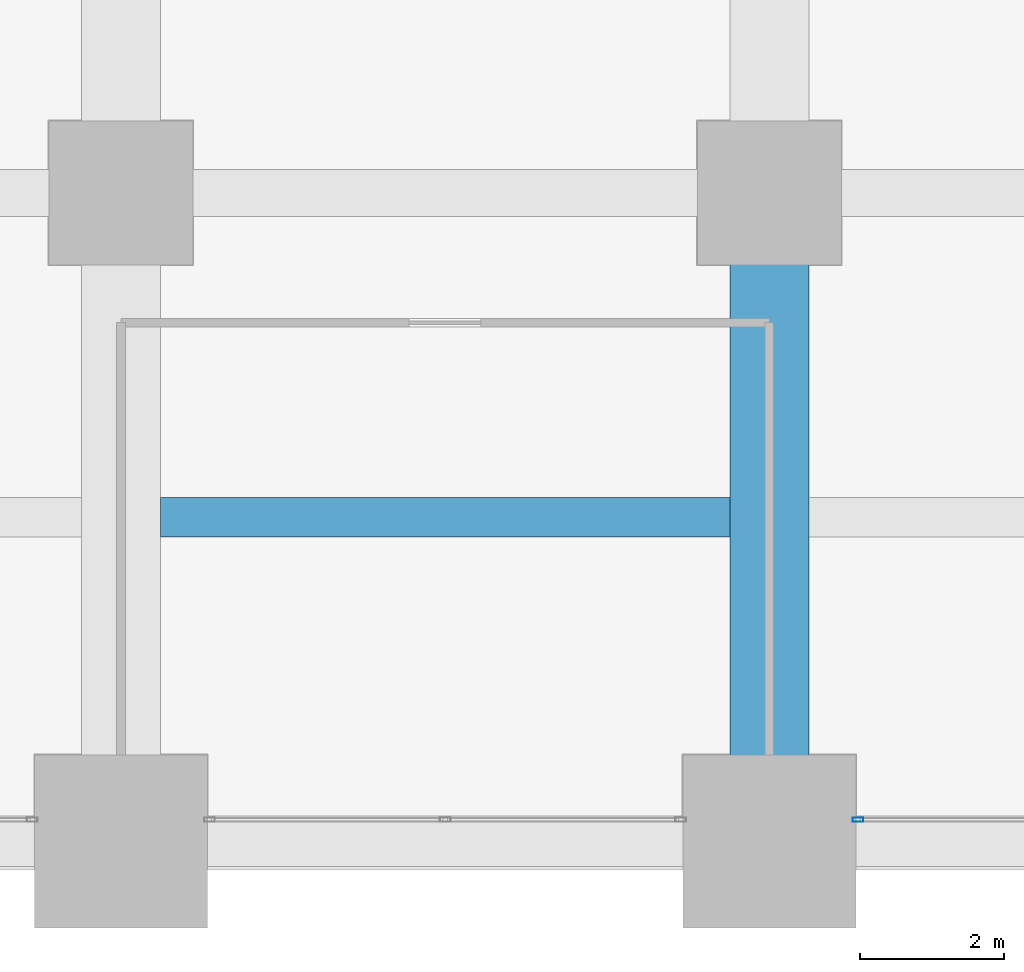
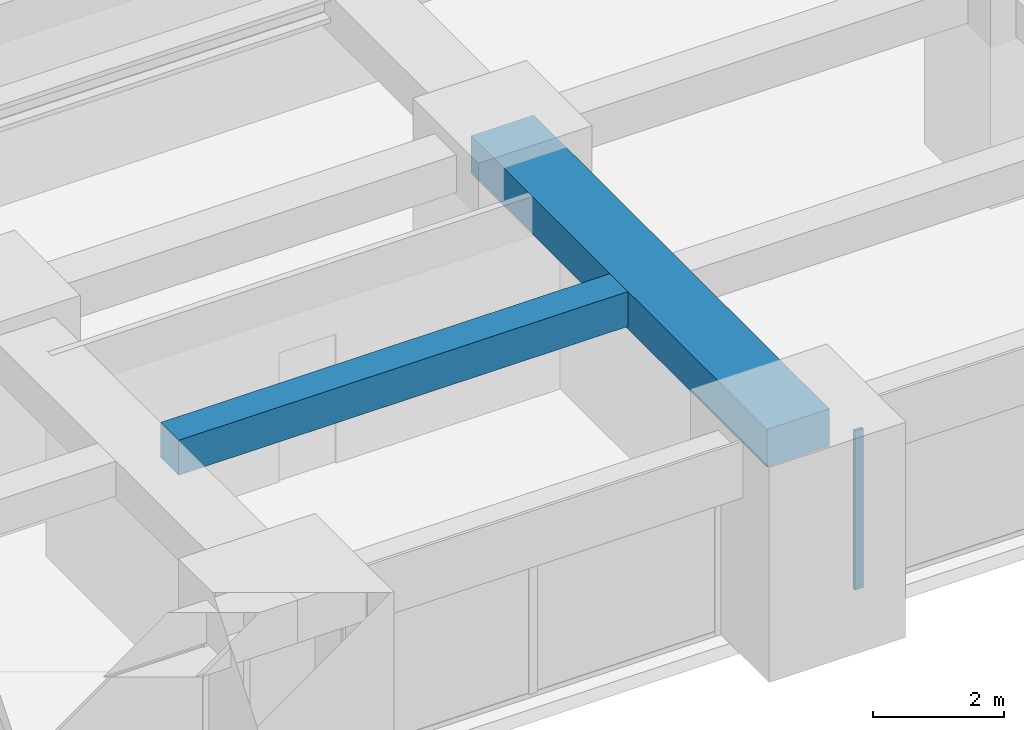
# One storey, part 14 of 39: 2 beams, 1 member, 1 element without a shape of its own.
"""IFC4 building model written with IfcOpenShell, lengths in metres."""

from ifc_helpers import new_model, si_unit, direction, frame, origin, origin_2d, place, context, subcontext, project, spatial, rectangle, hollow_rectangle, extrude, material, material_profile, profile_set, type_object, element, aggregate, save


model = new_model("IFC4")

# Units and contexts
model_context = context("Model", 3, precision=1e-05, world=origin(), true_north=direction((0.0, 1.0)))
body_context = subcontext(model_context, "Body", "Model", "MODEL_VIEW")
ifc_project = project(units=[si_unit("LENGTHUNIT", "METRE"), si_unit("AREAUNIT", "SQUARE_METRE"), si_unit("VOLUMEUNIT", "CUBIC_METRE"), si_unit("PLANEANGLEUNIT", "RADIAN"), si_unit("MASSUNIT", "GRAM", prefix="KILO")], contexts=[model_context])

# Site, building, storey
site_placement = place(None, origin())
site = spatial("IfcSite", under=ifc_project, at=site_placement, CompositionType="ELEMENT")
building_placement = place(site_placement, origin())
building = spatial("IfcBuilding", under=site, at=building_placement, Name="Zorevar Civic Tower", CompositionType="ELEMENT")
storey_placement = place(building_placement, frame((0.0, 0.0, 121.0)))
storey = spatial("IfcBuildingStorey", under=building, at=storey_placement, Name="L29", CompositionType="ELEMENT", Elevation=121.0)

# Beams
ifc_material_1 = material(Name="Concrete C50/60", Category="concrete")
ifc_material_profile_1 = material_profile(ifc_material_1, rectangle(XDim=1.10009765625, YDim=0.699951171875, at=origin_2d()), Name="RC 1100x700")
ifc_profile_set_1 = profile_set([ifc_material_profile_1], Name="Concrete C50/60")
beam_type_1 = type_object("IfcBeamType", Name="Beam RC 1100x700", PredefinedType="BEAM", material=ifc_profile_set_1)
beam_1_placement = place(storey_placement, frame((45.0, 0.0, 3.39990234375), z_axis=(0.0, 1.0, 0.0), x_axis=(-1.0, 0.0, 0.0)))
element("IfcBeam", 1, at=beam_1_placement, inside=storey, type_object=beam_type_1, Name="Girder L30", PredefinedType="BEAM", context=body_context, shape_type="SweptSolid", body=[
    extrude(rectangle(XDim=1.10009765625, YDim=0.699951171875, at=origin_2d()), origin(), (0.0, 0.0, 1.0), 9.0),
])
ifc_material_2 = material(Name="Concrete C50/60", Category="concrete")
ifc_material_profile_2 = material_profile(ifc_material_2, rectangle(XDim=0.550048828125, YDim=0.64990234375, at=origin_2d()), Name="RC 550x650")
ifc_profile_set_2 = profile_set([ifc_material_profile_2], Name="Concrete C50/60")
beam_type_2 = type_object("IfcBeamType", Name="Beam RC 550x650", PredefinedType="BEAM", material=ifc_profile_set_2)
beam_2_placement = place(storey_placement, frame((36.550048828125, 4.5, 3.425048828125), z_axis=(1.0, 0.0, 0.0), x_axis=(0.0, 1.0, 0.0)))
element("IfcBeam", 2, at=beam_2_placement, inside=storey, type_object=beam_type_2, Name="Secondary beam L30", PredefinedType="BEAM", context=body_context, shape_type="SweptSolid", body=[
    extrude(rectangle(XDim=0.550048828125, YDim=0.64990234375, at=origin_2d()), origin(), (0.0, 0.0, 1.0), 7.89990234375),
])

# Curtain wall, member
ifc_material_3 = material(Name="Dark grey solar-control glass in black aluminium frame", Category="aluminium")
curtain_wall_type = type_object("IfcCurtainWallType", Name="Curtain wall CW3 mid zone", PredefinedType="NOTDEFINED", material=ifc_material_3)
curtain_wall_placement = place(storey_placement, origin())
curtain_wall = element("IfcCurtainWall", 3, at=curtain_wall_placement, inside=storey, type_object=curtain_wall_type, Name="CW3 L29", PredefinedType="NOTDEFINED")
ifc_material_4 = material(Name="Aluminium, black anodised", Category="aluminium")
ifc_material_profile_3 = material_profile(ifc_material_4, hollow_rectangle(XDim=0.06005859375, YDim=0.14990234375, WallThickness=0.00390625, at=origin_2d()), Name="AL 150x60x4")
ifc_profile_set_3 = profile_set([ifc_material_profile_3], Name="Aluminium, black anodised")
member_type = type_object("IfcMemberType", Name="CW3 mullion AL 150x60x4", PredefinedType="MULLION", material=ifc_profile_set_3)
member_placement = place(storey_placement, frame((46.22998046875, 0.300048828125, 0.0), z_axis=(0.0, 0.0, 1.0), x_axis=(0.0, 1.0, 0.0)))
member = element("IfcMember", 4, at=member_placement, type_object=member_type, Name="CW3 mullion 1", PredefinedType="MULLION", context=body_context, shape_type="SweptSolid", body=[
    extrude(hollow_rectangle(XDim=0.06005859375, YDim=0.14990234375, WallThickness=0.00390625, at=origin_2d()), origin(), (0.0, 0.0, 1.0), 2.949951171875),
])
aggregate(curtain_wall, [member])

save(model, "model.ifc")
